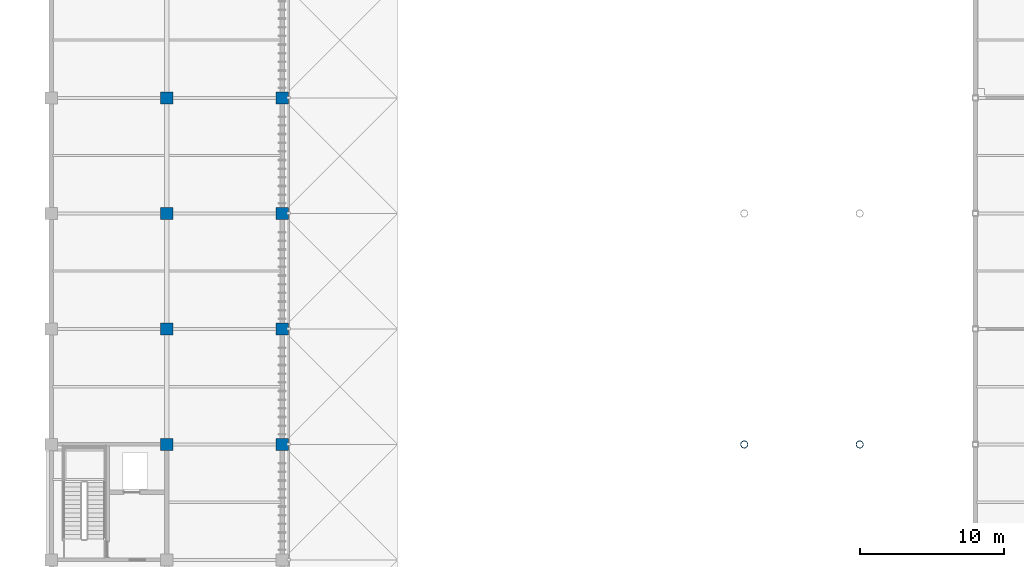
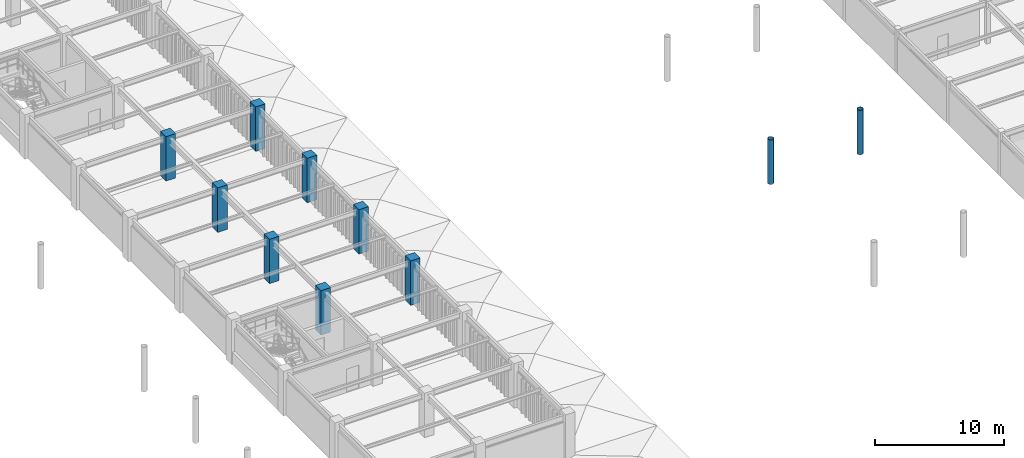
# One storey, part 10 of 78: 10 columns.
"""IFC4 building model written with IfcOpenShell, lengths in metres."""

from ifc_helpers import new_model, si_unit, direction, frame, origin, origin_2d, place, context, subcontext, project, spatial, rectangle, hollow_circle, extrude, material, material_profile, profile_set, type_object, element, save


model = new_model("IFC4")

# Units and contexts
model_context = context("Model", 3, precision=1e-05, world=origin(), true_north=direction((0.0, 1.0)))
body_context = subcontext(model_context, "Body", "Model", "MODEL_VIEW")
ifc_project = project(units=[si_unit("LENGTHUNIT", "METRE"), si_unit("AREAUNIT", "SQUARE_METRE"), si_unit("VOLUMEUNIT", "CUBIC_METRE"), si_unit("PLANEANGLEUNIT", "RADIAN"), si_unit("MASSUNIT", "GRAM", prefix="KILO")], contexts=[model_context])

# Site, building, storey
site_placement = place(None, origin())
site = spatial("IfcSite", under=ifc_project, at=site_placement, CompositionType="ELEMENT")
building_placement = place(site_placement, origin())
building = spatial("IfcBuilding", under=site, at=building_placement, Name="Haebicheon Civic Stadium", CompositionType="ELEMENT")
storey_placement = place(building_placement, frame((0.0, 0.0, 18.60009765625)))
storey = spatial("IfcBuildingStorey", under=building, at=storey_placement, Name="L05", CompositionType="ELEMENT", Elevation=18.60009765625)

# Columns
ifc_material_1 = material(Name="Concrete C40/50", Category="concrete")
ifc_material_profile_1 = material_profile(ifc_material_1, rectangle(XDim=0.85009765625, YDim=0.85009765625, at=origin_2d()), Name="RC-COL-850x850")
ifc_profile_set_1 = profile_set([ifc_material_profile_1], Name="Concrete C40/50")
column_type_1 = type_object("IfcColumnType", Name="COL-RC-850", PredefinedType="COLUMN", material=ifc_profile_set_1)
for number, where, z_axis, x_axis, name in (
    (1, (152.0, 72.0, 0.0), (0.0, 0.0, 1.0), (1.0, 0.0, 0.0), "L05 column 20/K"),
    (2, (152.0, 80.0, 0.0), (0.0, 0.0, 1.0), (1.0, 0.0, 0.0), "L05 column 20/L"),
    (3, (152.0, 88.0, 0.0), (0.0, 0.0, 1.0), (1.0, 0.0, 0.0), "L05 column 20/M"),
    (4, (152.0, 96.0, 0.0), (0.0, 0.0, 1.0), (1.0, 0.0, 0.0), "L05 column 20/N"),
    (5, (160.0, 72.0, 0.0), (0.0, 0.0, 1.0), (1.0, 0.0, 0.0), "L05 column 21/K"),
    (6, (160.0, 80.0, 0.0), (0.0, 0.0, 1.0), (1.0, 0.0, 0.0), "L05 column 21/L"),
    (7, (160.0, 88.0, 0.0), (0.0, 0.0, 1.0), (1.0, 0.0, 0.0), "L05 column 21/M"),
    (8, (160.0, 96.0, 0.0), (0.0, 0.0, 1.0), (1.0, 0.0, 0.0), "L05 column 21/N"),
):
    element("IfcColumn", number, at=place(storey_placement, frame(where, z_axis=z_axis, x_axis=x_axis)), inside=storey, type_object=column_type_1, material=ifc_profile_set_1, Name=name, PredefinedType="COLUMN", context=body_context, shape_type="SweptSolid", body=[
        extrude(rectangle(XDim=0.85009765625, YDim=0.85009765625, at=origin_2d()), origin(), (0.0, 0.0, 1.0), 4.199951171875),
    ])
ifc_material_2 = material(Name="White painted steel SM490", Category="steel")
ifc_material_profile_2 = material_profile(ifc_material_2, hollow_circle(Radius=0.25390625, WallThickness=0.02490234375, at=origin_2d()), Name="CHS-508.0x25.0")
ifc_profile_set_2 = profile_set([ifc_material_profile_2], Name="White painted steel SM490")
column_type_2 = type_object("IfcColumnType", Name="COL-ST-CHS508", PredefinedType="COLUMN", material=ifc_profile_set_2)
for number, where, z_axis, x_axis, name in (
    (9, (200.0, 72.0, 0.0), (0.0, 0.0, 1.0), (1.0, 0.0, 0.0), "Bowl/canopy support column 200/72 (L05)"),
    (10, (192.0, 72.0, 0.0), (0.0, 0.0, 1.0), (1.0, 0.0, 0.0), "Bowl/canopy support column 192/72 (L05)"),
):
    element("IfcColumn", number, at=place(storey_placement, frame(where, z_axis=z_axis, x_axis=x_axis)), inside=storey, type_object=column_type_2, material=ifc_profile_set_2, Name=name, PredefinedType="COLUMN", context=body_context, shape_type="SweptSolid", body=[
        extrude(hollow_circle(Radius=0.25390625, WallThickness=0.02490234375, at=origin_2d()), origin(), (0.0, 0.0, 1.0), 4.199951171875),
    ])

save(model, "model.ifc")
